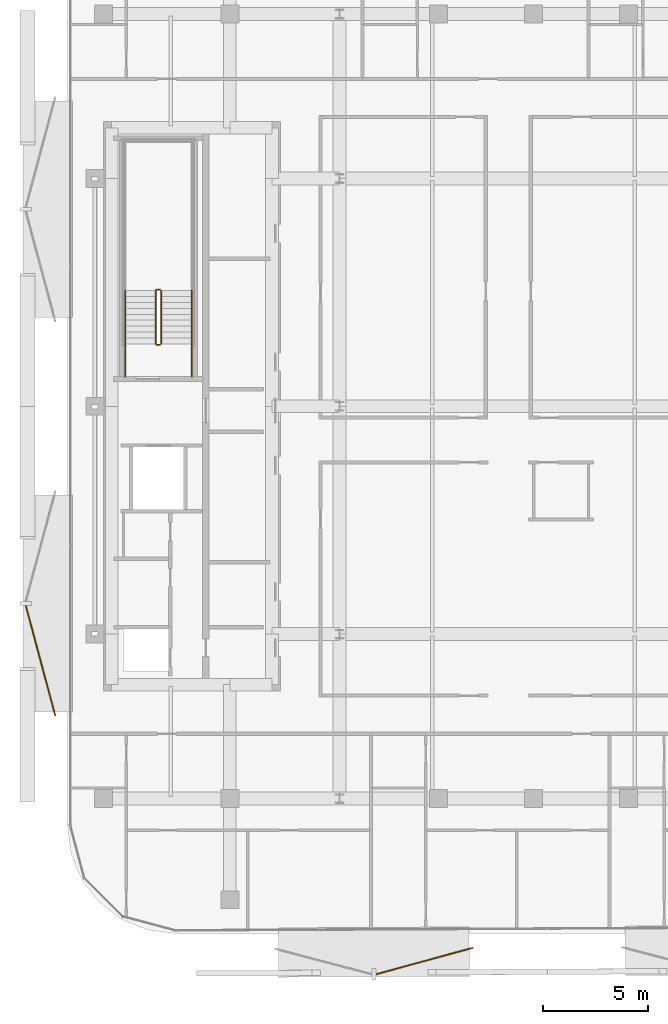
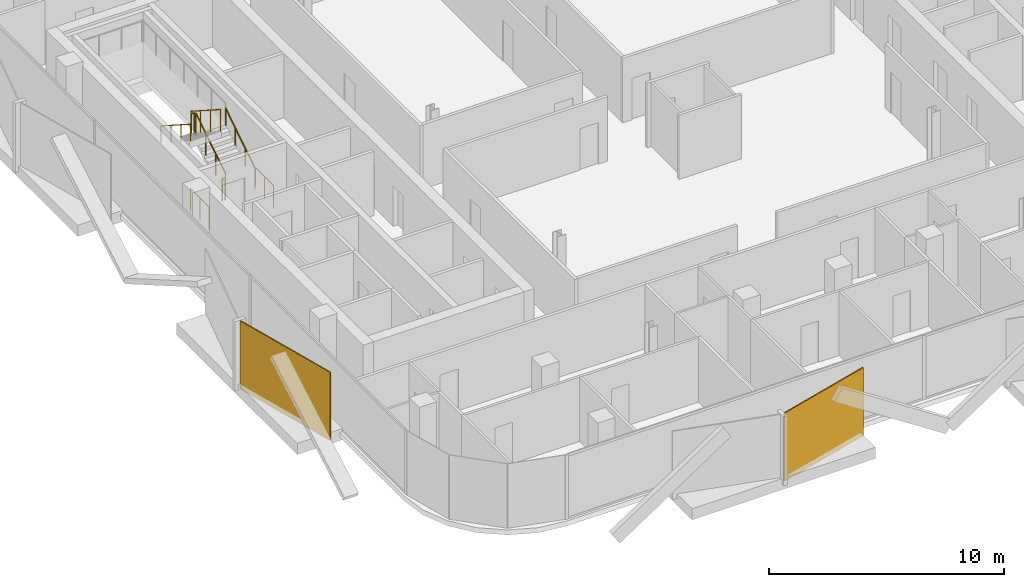
# One storey, part 13 of 15: 8 railings, 2 coverings.
"""IFC4 building model written with IfcOpenShell, lengths in metres."""

from ifc_helpers import new_model, si_unit, direction, frame, origin, origin_2d, place, context, subcontext, project, spatial, rectangle, circle, extrude, material, layer, layer_set, type_object, element, save


model = new_model("IFC4")

# Units and contexts
model_context = context("Model", 3, precision=1e-05, world=origin(), true_north=direction((0.0, 1.0)))
body_context = subcontext(model_context, "Body", "Model", "MODEL_VIEW")
ifc_project = project(units=[si_unit("LENGTHUNIT", "METRE"), si_unit("AREAUNIT", "SQUARE_METRE"), si_unit("VOLUMEUNIT", "CUBIC_METRE"), si_unit("PLANEANGLEUNIT", "RADIAN"), si_unit("MASSUNIT", "GRAM", prefix="KILO")], contexts=[model_context])

# Site, building, storey
site_placement = place(None, origin())
site = spatial("IfcSite", under=ifc_project, at=site_placement, CompositionType="ELEMENT")
building_placement = place(site_placement, origin())
building = spatial("IfcBuilding", under=site, at=building_placement, Name="Khairoan Windgate Tower", CompositionType="ELEMENT")
storey_placement = place(building_placement, frame((0.0, 0.0, 244.0)))
storey = spatial("IfcBuildingStorey", under=building, at=storey_placement, Name="L57", CompositionType="ELEMENT", Elevation=244.0)

# Coverings
ifc_material_1 = material(Name="Anodised Bronze Aluminium 6063-T6", Category="aluminium")
ifc_layer = layer(ifc_material_1, 0.054931640625, Name="Anodised Bronze Aluminium 6063-T6")
ifc_layer_set = layer_set([ifc_layer], Name="Anodised Bronze Aluminium 6063-T6")
covering_type = type_object("IfcCoveringType", Name="Perforated Bronze-Ceramic Folded Solar Screen Cladding BSC-1", PredefinedType="CLADDING", material=ifc_layer_set)
covering_1_placement = place(storey_placement, frame((-5.172607421875, -26.30615234375, -0.10009765625), z_axis=(0.0, 0.0, 1.0), x_axis=(-0.964649468762, -0.263536339841, 0.0)))
element("IfcCovering", 1, at=covering_1_placement, inside=storey, type_object=covering_type, Name="L57 Folded Bronze Solar Screen Facet 386L", PredefinedType="CLADDING", context=body_context, shape_type="SweptSolid", body=[
    extrude(rectangle(XDim=4.76708984375, YDim=0.054931640625, at=origin_2d()), origin(), (0.0, 0.0, 1.0), 3.5400390625),
])
covering_2_placement = place(storey_placement, frame((-23.378662109375, -12.052978515625, -0.10009765625), z_axis=(0.0, 0.0, 1.0), x_axis=(-0.258819045103, 0.965925826289, 0.0)))
element("IfcCovering", 2, at=covering_2_placement, inside=storey, type_object=covering_type, Name="L57 Folded Bronze Solar Screen Facet 387L", PredefinedType="CLADDING", context=body_context, shape_type="SweptSolid", body=[
    extrude(rectangle(XDim=5.419921875, YDim=0.054931640625, at=origin_2d()), origin(), (0.0, 0.0, 1.0), 3.5400390625),
])

# Railings
ifc_material_2 = material(Name="Anodised Bronze Aluminium 6063-T6", Category="aluminium")
railing_type_1 = type_object("IfcRailingType", Name="Stair Wall Handrail SHR-900", PredefinedType="HANDRAIL", material=ifc_material_2)
railing_1_placement = place(storey_placement, frame((-16.199951171875, 2.9599609375, 0.179931640625)))
element("IfcRailing", 3, at=railing_1_placement, inside=storey, type_object=railing_type_1, Name="L57 ST2 stair handrail 1", PredefinedType="HANDRAIL", context=body_context, shape_type="SweptSolid", body=[
    extrude(circle(Radius=0.02392578125, at=origin_2d()), frame((0.0, 0.0, 0.8759765625), z_axis=(0.0, 0.841162588446, 0.540782303519), x_axis=(-1.0, 0.0, 0.0)), (0.0, 0.0, 1.0), 2.995849609375),
    extrude(circle(Radius=0.02099609375, at=origin_2d()), origin(), (0.0, 0.0, 1.0), 0.851806640625),
    extrude(circle(Radius=0.02099609375, at=origin_2d()), frame((0.0, 0.840087890625, 0.5400390625)), (0.0, 0.0, 1.0), 0.851806640625),
    extrude(circle(Radius=0.02099609375, at=origin_2d()), frame((0.0, 1.679931640625, 1.080078125)), (0.0, 0.0, 1.0), 0.851806640625),
    extrude(circle(Radius=0.02099609375, at=origin_2d()), frame((0.0, 2.52001953125, 1.6201171875)), (0.0, 0.0, 1.0), 0.851806640625),
])
railing_2_placement = place(storey_placement, frame((-19.3701171875, 5.47998046875, 1.97998046875)))
element("IfcRailing", 4, at=railing_2_placement, inside=storey, type_object=railing_type_1, Name="L57 ST2 stair handrail 2", PredefinedType="HANDRAIL", context=body_context, shape_type="SweptSolid", body=[
    extrude(circle(Radius=0.02392578125, at=origin_2d()), frame((0.0, 0.0, 0.8759765625), z_axis=(0.0, -0.841162588446, 0.540782303519), x_axis=(1.0, 0.0, 0.0)), (0.0, 0.0, 1.0), 2.995849609375),
    extrude(circle(Radius=0.02099609375, at=origin_2d()), origin(), (0.0, 0.0, 1.0), 0.851806640625),
    extrude(circle(Radius=0.02099609375, at=origin_2d()), frame((0.0, -0.840087890625, 0.5400390625)), (0.0, 0.0, 1.0), 0.851806640625),
    extrude(circle(Radius=0.02099609375, at=origin_2d()), frame((0.0, -1.679931640625, 1.080078125)), (0.0, 0.0, 1.0), 0.851806640625),
    extrude(circle(Radius=0.02099609375, at=origin_2d()), frame((0.0, -2.52001953125, 1.6201171875)), (0.0, 0.0, 1.0), 0.851806640625),
])
ifc_material_3 = material(Name="Steel S355", Category="steel")
railing_type_2 = type_object("IfcRailingType", Name="Stairwell Safety Guardrail SGR-1150", PredefinedType="GUARDRAIL", material=ifc_material_3)
railing_3_placement = place(storey_placement, frame((-17.659912109375, 2.9599609375, 0.179931640625)))
element("IfcRailing", 5, at=railing_3_placement, inside=storey, type_object=railing_type_2, Name="L57 ST2 stair guard 1", PredefinedType="GUARDRAIL", context=body_context, shape_type="SweptSolid", body=[
    extrude(circle(Radius=0.02392578125, at=origin_2d()), frame((0.0, 0.0, 1.1259765625), z_axis=(0.0, 0.841162588446, 0.540782303519), x_axis=(-1.0, 0.0, 0.0)), (0.0, 0.0, 1.0), 2.995849609375),
    extrude(circle(Radius=0.02099609375, at=origin_2d()), origin(), (0.0, 0.0, 1.0), 1.101806640625),
    extrude(circle(Radius=0.02099609375, at=origin_2d()), frame((0.0, 0.840087890625, 0.5400390625)), (0.0, 0.0, 1.0), 1.101806640625),
    extrude(circle(Radius=0.02099609375, at=origin_2d()), frame((0.0, 1.679931640625, 1.080078125)), (0.0, 0.0, 1.0), 1.101806640625),
    extrude(circle(Radius=0.02099609375, at=origin_2d()), frame((0.0, 2.52001953125, 1.6201171875)), (0.0, 0.0, 1.0), 1.101806640625),
])
railing_4_placement = place(storey_placement, frame((-17.7099609375, 5.530029296875, 1.800048828125)))
element("IfcRailing", 6, at=railing_4_placement, inside=storey, type_object=railing_type_2, Name="L57 ST2 stair guard 2", PredefinedType="GUARDRAIL", context=body_context, shape_type="SweptSolid", body=[
    extrude(circle(Radius=0.02392578125, at=origin_2d()), frame((0.0, 0.0, 1.1259765625), z_axis=(-1.0, 0.0, 0.0), x_axis=(0.0, -1.0, 0.0)), (0.0, 0.0, 1.0), 0.150146484375),
    extrude(circle(Radius=0.02099609375, at=origin_2d()), origin(), (0.0, 0.0, 1.0), 1.101806640625),
    extrude(circle(Radius=0.02099609375, at=origin_2d()), frame((-0.150146484375, 0.0, 0.0)), (0.0, 0.0, 1.0), 1.101806640625),
])
railing_5_placement = place(storey_placement, frame((-17.909912109375, 5.47998046875, 1.97998046875)))
element("IfcRailing", 7, at=railing_5_placement, inside=storey, type_object=railing_type_2, Name="L57 ST2 stair guard 6", PredefinedType="GUARDRAIL", context=body_context, shape_type="SweptSolid", body=[
    extrude(circle(Radius=0.02392578125, at=origin_2d()), frame((0.0, 0.0, 1.1259765625), z_axis=(0.0, -0.841162588446, 0.540782303519), x_axis=(1.0, 0.0, 0.0)), (0.0, 0.0, 1.0), 2.995849609375),
    extrude(circle(Radius=0.02099609375, at=origin_2d()), origin(), (0.0, 0.0, 1.0), 1.101806640625),
    extrude(circle(Radius=0.02099609375, at=origin_2d()), frame((0.0, -0.840087890625, 0.5400390625)), (0.0, 0.0, 1.0), 1.101806640625),
    extrude(circle(Radius=0.02099609375, at=origin_2d()), frame((0.0, -1.679931640625, 1.080078125)), (0.0, 0.0, 1.0), 1.101806640625),
    extrude(circle(Radius=0.02099609375, at=origin_2d()), frame((0.0, -2.52001953125, 1.6201171875)), (0.0, 0.0, 1.0), 1.101806640625),
])
railing_6_placement = place(storey_placement, frame((-17.7099609375, 2.909912109375, 0.0)))
element("IfcRailing", 8, at=railing_6_placement, inside=storey, type_object=railing_type_2, Name="L57 ST2 stair guard 7", PredefinedType="GUARDRAIL", context=body_context, shape_type="SweptSolid", body=[
    extrude(circle(Radius=0.02392578125, at=origin_2d()), frame((0.0, 0.0, 1.1259765625), z_axis=(-1.0, 0.0, 0.0), x_axis=(0.0, -1.0, 0.0)), (0.0, 0.0, 1.0), 0.150146484375),
    extrude(circle(Radius=0.02099609375, at=origin_2d()), origin(), (0.0, 0.0, 1.0), 1.101806640625),
    extrude(circle(Radius=0.02099609375, at=origin_2d()), frame((-0.150146484375, 0.0, 0.0)), (0.0, 0.0, 1.0), 1.101806640625),
])
for number, where, name in (
    (9, (-16.199951171875, 1.39990234375, 0.0), "L57 ST2 stair guard 8"),
    (10, (-19.3701171875, 1.39990234375, 0.0), "L57 ST2 stair guard 9"),
):
    element("IfcRailing", number, at=place(storey_placement, frame(where)), inside=storey, type_object=railing_type_2, Name=name, PredefinedType="GUARDRAIL", context=body_context, shape_type="SweptSolid", body=[
        extrude(circle(Radius=0.02392578125, at=origin_2d()), frame((0.0, 0.0, 1.1259765625), z_axis=(0.0, 1.0, 0.0), x_axis=(-1.0, 0.0, 0.0)), (0.0, 0.0, 1.0), 1.56005859375),
        extrude(circle(Radius=0.02099609375, at=origin_2d()), origin(), (0.0, 0.0, 1.0), 1.101806640625),
        extrude(circle(Radius=0.02099609375, at=origin_2d()), frame((0.0, 0.780029296875, 0.0)), (0.0, 0.0, 1.0), 1.101806640625),
        extrude(circle(Radius=0.02099609375, at=origin_2d()), frame((0.0, 1.56005859375, 0.0)), (0.0, 0.0, 1.0), 1.101806640625),
    ])

save(model, "model.ifc")
